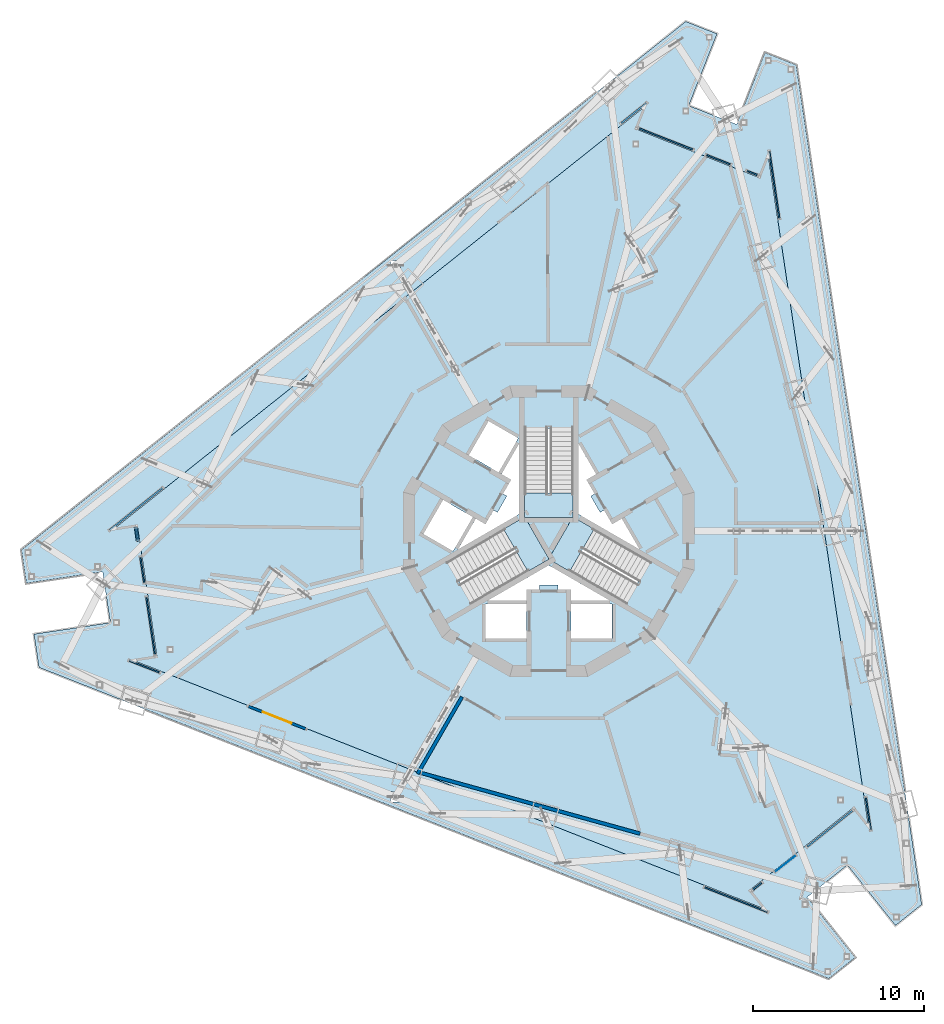
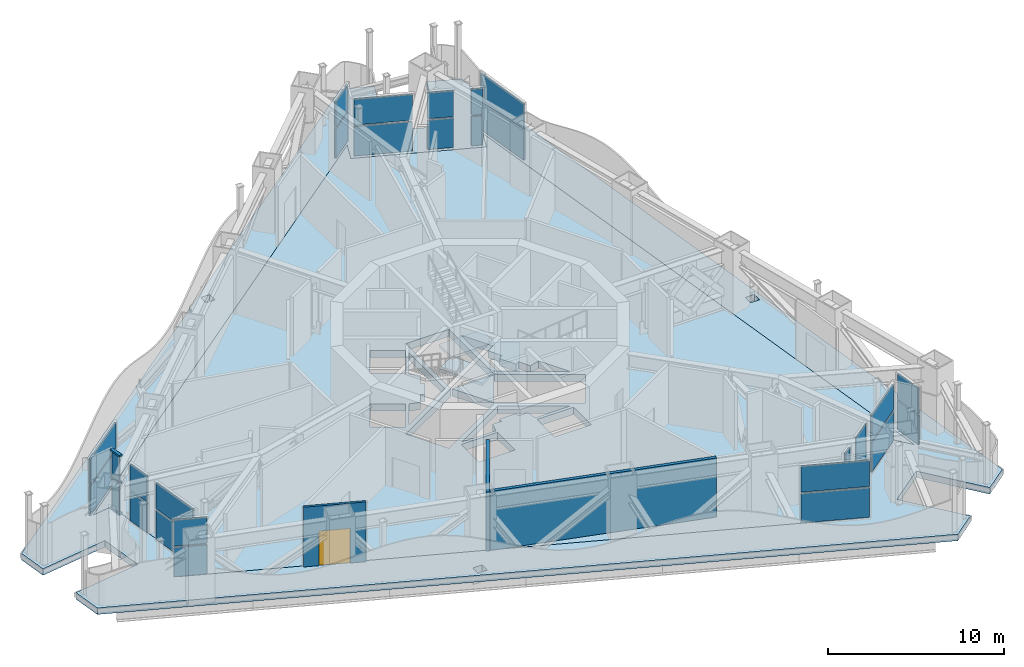
# One storey, part 9 of 27: 29 plates, 6 slabs, 3 members, 3 walls, 1 door, 1 opening, 18 elements without a shape of their own.
"""IFC4 building model written with IfcOpenShell, lengths in metres."""

from ifc_helpers import new_model, si_unit, direction, frame, frame_2d, origin, origin_2d, place, context, subcontext, project, spatial, polyline, rectangle, outline, extrude, material, layer, layer_set, material_profile, profile_set, type_object, element, fill, aggregate, save


model = new_model("IFC4")

# Units and contexts
model_context = context("Model", 3, precision=1e-05, world=origin(), true_north=direction((0.0, 1.0)))
body_context = subcontext(model_context, "Body", "Model", "MODEL_VIEW")
ifc_project = project(units=[si_unit("LENGTHUNIT", "METRE"), si_unit("AREAUNIT", "SQUARE_METRE"), si_unit("VOLUMEUNIT", "CUBIC_METRE"), si_unit("PLANEANGLEUNIT", "RADIAN"), si_unit("MASSUNIT", "GRAM", prefix="KILO")], contexts=[model_context])

# Site, building, storey
site_placement = place(None, origin())
site = spatial("IfcSite", under=ifc_project, at=site_placement, CompositionType="ELEMENT")
building_placement = place(site_placement, origin())
building = spatial("IfcBuilding", under=site, at=building_placement, Name="Trine Commons Tower", CompositionType="ELEMENT")
storey_placement = place(building_placement, frame((0.0, 0.0, 230.39990234375)))
storey = spatial("IfcBuildingStorey", under=building, at=storey_placement, Name="L60", CompositionType="ELEMENT", Elevation=230.39990234375)

# Curtain wall, members
ifc_material_1 = material(Name="Plant louvre wall: anodised aluminium frame with anodised aluminium louvre blades", Category="aluminium")
ifc_layer_1 = layer(ifc_material_1, 0.199951171875)
ifc_layer_set_1 = layer_set([ifc_layer_1], Name="Plant louvre wall: anodised aluminium frame with anodised aluminium louvre blades")
curtain_wall_type_1 = type_object("IfcCurtainWallType", Name="Plant louvre wall curtain wall CW7", PredefinedType="NOTDEFINED", material=ifc_layer_set_1)
curtain_wall_1_placement = place(storey_placement, origin())
curtain_wall_1 = element("IfcCurtainWall", 1, at=curtain_wall_1_placement, inside=storey, type_object=curtain_wall_type_1, Name="Plant louvre wall L60 P3.3", PredefinedType="NOTDEFINED")
ifc_material_2 = material(Name="Anodised aluminium, bronze finish", Category="aluminium")
ifc_material_profile = material_profile(ifc_material_2, rectangle(XDim=0.199951171875, YDim=0.1201171875, at=origin_2d()), Name="Transom 120x200")
ifc_profile_set = profile_set([ifc_material_profile], Name="Anodised aluminium, bronze finish")
member_type = type_object("IfcMemberType", Name="Transom 120x200, Anodised aluminium, bronze finish", PredefinedType="USERDEFINED", material=ifc_profile_set)
member_1_placement = place(storey_placement, frame((56.0439453125, 61.90478515625, 0.06005859375), z_axis=(-0.147748915274, 0.989024902637, 0.0), x_axis=(-0.989024902637, -0.147748915274, 0.0)))
member_1 = element("IfcMember", 2, at=member_1_placement, type_object=member_type, Name="CW7 transom T00", ObjectType="TRANSOM", PredefinedType="USERDEFINED", context=body_context, shape_type="SweptSolid", body=[
    extrude(rectangle(XDim=0.199951171875, YDim=0.1201171875, at=origin_2d()), origin(), (0.0, 0.0, 1.0), 0.84765625),
])
member_2_placement = place(storey_placement, frame((56.0439453125, 61.90478515625, 2.2001953125), z_axis=(-0.147748915274, 0.989024902637, 0.0), x_axis=(-0.989024902637, -0.147748915274, 0.0)))
member_2 = element("IfcMember", 3, at=member_2_placement, type_object=member_type, Name="CW7 transom T01", ObjectType="TRANSOM", PredefinedType="USERDEFINED", context=body_context, shape_type="SweptSolid", body=[
    extrude(rectangle(XDim=0.199951171875, YDim=0.1201171875, at=origin_2d()), origin(), (0.0, 0.0, 1.0), 0.84765625),
])
member_3_placement = place(storey_placement, frame((56.0439453125, 61.90478515625, 4.090087890625), z_axis=(-0.147748915274, 0.989024902637, 0.0), x_axis=(-0.989024902637, -0.147748915274, 0.0)))
member_3 = element("IfcMember", 4, at=member_3_placement, type_object=member_type, Name="CW7 transom TH00", ObjectType="TRANSOM", PredefinedType="USERDEFINED", context=body_context, shape_type="SweptSolid", body=[
    extrude(rectangle(XDim=0.199951171875, YDim=0.1201171875, at=origin_2d()), origin(), (0.0, 0.0, 1.0), 0.84765625),
])

# Curtain wall, plate
ifc_material_3 = material(Name="Sky lounge glazing: anodised aluminium frame with low-emissivity double glazed unit, solar control", Category="aluminium")
ifc_layer_2 = layer(ifc_material_3, 0.179931640625)
ifc_layer_set_2 = layer_set([ifc_layer_2], Name="Sky lounge glazing: anodised aluminium frame with low-emissivity double glazed unit, solar control")
curtain_wall_type_2 = type_object("IfcCurtainWallType", Name="Sky lounge glazing curtain wall CW5", PredefinedType="NOTDEFINED", material=ifc_layer_set_2)
curtain_wall_2_placement = place(storey_placement, origin())
curtain_wall_2 = element("IfcCurtainWall", 5, at=curtain_wall_2_placement, inside=storey, type_object=curtain_wall_type_2, Name="Sky lounge glazing L60 P2.2", PredefinedType="NOTDEFINED")
ifc_material_4 = material(Name="Low-emissivity double glazed unit, solar control")
ifc_layer_3 = layer(ifc_material_4, 0.031982421875)
ifc_layer_set_3 = layer_set([ifc_layer_3], Name="Low-emissivity double glazed unit, solar control")
plate_type_1 = type_object("IfcPlateType", Name="Double glazed unit 32 mm (sky floors)", PredefinedType="CURTAIN_PANEL", material=ifc_layer_set_3)
plate_1_placement = place(storey_placement, frame((93.805908203125, 43.10791015625, 0.1103515625), z_axis=(0.0, 0.0, 1.0), x_axis=(-0.782608156852, -0.622514636638, 0.0)))
plate_1 = element("IfcPlate", 6, at=plate_1_placement, type_object=plate_type_1, Name="CW5 panel 1.1", PredefinedType="CURTAIN_PANEL", context=body_context, shape_type="SweptSolid", body=[
    extrude(rectangle(XDim=1.54443359375, YDim=0.031982421875, at=origin_2d()), origin(), (0.0, 0.0, 1.0), 3.929931640625),
])
aggregate(curtain_wall_2, [plate_1])

# Curtain wall, plates
curtain_wall_3_placement = place(storey_placement, origin())
curtain_wall_3 = element("IfcCurtainWall", 7, at=curtain_wall_3_placement, inside=storey, type_object=curtain_wall_type_1, Name="Plant louvre wall L60 F1.1", PredefinedType="NOTDEFINED")
ifc_material_5 = material(Name="Anodised aluminium louvre blades", Category="aluminium")
ifc_layer_4 = layer(ifc_material_5, 0.10009765625)
ifc_layer_set_4 = layer_set([ifc_layer_4], Name="Anodised aluminium louvre blades")
plate_type_2 = type_object("IfcPlateType", Name="Fixed aluminium louvre panel 100", PredefinedType="CURTAIN_PANEL", material=ifc_layer_set_4)
plate_2_placement = place(storey_placement, frame((55.93310546875, 63.78857421875, 0.1201171875), z_axis=(0.0, 0.0, 1.0), x_axis=(0.782608156852, 0.622514636638, 0.0)))
plate_2 = element("IfcPlate", 8, at=plate_2_placement, type_object=plate_type_2, Name="CW7 panel 1.1", PredefinedType="CURTAIN_PANEL", context=body_context, shape_type="SweptSolid", body=[
    extrude(rectangle(XDim=3.927001953125, YDim=0.10009765625, at=origin_2d()), origin(), (0.0, 0.0, 1.0), 2.02001953125),
])
plate_3_placement = place(storey_placement, frame((55.93310546875, 63.78857421875, 2.260009765625), z_axis=(0.0, 0.0, 1.0), x_axis=(0.782608156852, 0.622514636638, 0.0)))
plate_3 = element("IfcPlate", 9, at=plate_3_placement, type_object=plate_type_2, Name="CW7 panel 1.2", PredefinedType="CURTAIN_PANEL", context=body_context, shape_type="SweptSolid", body=[
    extrude(rectangle(XDim=3.927001953125, YDim=0.10009765625, at=origin_2d()), origin(), (0.0, 0.0, 1.0), 1.77001953125),
])
aggregate(curtain_wall_3, [plate_2, plate_3])

curtain_wall_4_placement = place(storey_placement, origin())
curtain_wall_4 = element("IfcCurtainWall", 10, at=curtain_wall_4_placement, inside=storey, type_object=curtain_wall_type_1, Name="Plant louvre wall L60 F1.2", PredefinedType="NOTDEFINED")
plate_4_placement = place(storey_placement, frame((84.957763671875, 86.875732421875, 0.1201171875), z_axis=(0.0, 0.0, 1.0), x_axis=(0.782608156852, 0.622514636638, 0.0)))
plate_4 = element("IfcPlate", 11, at=plate_4_placement, type_object=plate_type_2, Name="CW7 panel 1.1", PredefinedType="CURTAIN_PANEL", context=body_context, shape_type="SweptSolid", body=[
    extrude(rectangle(XDim=1.88427734375, YDim=0.10009765625, at=origin_2d()), origin(), (0.0, 0.0, 1.0), 2.02001953125),
])
plate_5_placement = place(storey_placement, frame((84.957763671875, 86.875732421875, 2.260009765625), z_axis=(0.0, 0.0, 1.0), x_axis=(0.782608156852, 0.622514636638, 0.0)))
plate_5 = element("IfcPlate", 12, at=plate_5_placement, type_object=plate_type_2, Name="CW7 panel 1.2", PredefinedType="CURTAIN_PANEL", context=body_context, shape_type="SweptSolid", body=[
    extrude(rectangle(XDim=1.88427734375, YDim=0.10009765625, at=origin_2d()), origin(), (0.0, 0.0, 1.0), 1.77001953125),
])
aggregate(curtain_wall_4, [plate_4, plate_5])

curtain_wall_5_placement = place(storey_placement, origin())
curtain_wall_5 = element("IfcCurtainWall", 13, at=curtain_wall_5_placement, inside=storey, type_object=curtain_wall_type_1, Name="Plant louvre wall L60 P1.1", PredefinedType="NOTDEFINED")
plate_6_placement = place(storey_placement, frame((86.83349609375, 85.36767578125, 0.1201171875), z_axis=(0.0, 0.0, 1.0), x_axis=(0.930417567982, -0.366501226724, 0.0)))
plate_6 = element("IfcPlate", 14, at=plate_6_placement, type_object=plate_type_2, Name="CW7 panel 1.1", PredefinedType="CURTAIN_PANEL", context=body_context, shape_type="SweptSolid", body=[
    extrude(rectangle(XDim=3.353759765625, YDim=0.10009765625, at=origin_2d()), origin(), (0.0, 0.0, 1.0), 2.02001953125),
])
plate_7_placement = place(storey_placement, frame((86.83349609375, 85.36767578125, 2.260009765625), z_axis=(0.0, 0.0, 1.0), x_axis=(0.930417567982, -0.366501226724, 0.0)))
plate_7 = element("IfcPlate", 15, at=plate_7_placement, type_object=plate_type_2, Name="CW7 panel 1.2", PredefinedType="CURTAIN_PANEL", context=body_context, shape_type="SweptSolid", body=[
    extrude(rectangle(XDim=3.353759765625, YDim=0.10009765625, at=origin_2d()), origin(), (0.0, 0.0, 1.0), 1.77001953125),
])
aggregate(curtain_wall_5, [plate_6, plate_7])

curtain_wall_6_placement = place(storey_placement, origin())
curtain_wall_6 = element("IfcCurtainWall", 16, at=curtain_wall_6_placement, inside=storey, type_object=curtain_wall_type_1, Name="Plant louvre wall L60 P1.2", PredefinedType="NOTDEFINED")
plate_8_placement = place(storey_placement, frame((89.89501953125, 84.16162109375, 0.1201171875), z_axis=(0.0, 0.0, 1.0), x_axis=(0.930417567982, -0.366501226724, 0.0)))
plate_8 = element("IfcPlate", 17, at=plate_8_placement, type_object=plate_type_2, Name="CW7 panel 1.1", PredefinedType="CURTAIN_PANEL", context=body_context, shape_type="SweptSolid", body=[
    extrude(rectangle(XDim=1.494384765625, YDim=0.10009765625, at=origin_2d()), origin(), (0.0, 0.0, 1.0), 2.02001953125),
])
plate_9_placement = place(storey_placement, frame((89.89501953125, 84.16162109375, 2.260009765625), z_axis=(0.0, 0.0, 1.0), x_axis=(0.930417567982, -0.366501226724, 0.0)))
plate_9 = element("IfcPlate", 18, at=plate_9_placement, type_object=plate_type_2, Name="CW7 panel 1.2", PredefinedType="CURTAIN_PANEL", context=body_context, shape_type="SweptSolid", body=[
    extrude(rectangle(XDim=1.494384765625, YDim=0.10009765625, at=origin_2d()), origin(), (0.0, 0.0, 1.0), 1.77001953125),
])
aggregate(curtain_wall_6, [plate_8, plate_9])

curtain_wall_7_placement = place(storey_placement, origin())
curtain_wall_7 = element("IfcCurtainWall", 19, at=curtain_wall_7_placement, inside=storey, type_object=curtain_wall_type_1, Name="Plant louvre wall L60 P1.3", PredefinedType="NOTDEFINED")
plate_10_placement = place(storey_placement, frame((91.85693359375, 83.388916015625, 0.1201171875), z_axis=(0.0, 0.0, 1.0), x_axis=(0.930417567982, -0.366501226724, 0.0)))
plate_10 = element("IfcPlate", 20, at=plate_10_placement, type_object=plate_type_2, Name="CW7 panel 1.1", PredefinedType="CURTAIN_PANEL", context=body_context, shape_type="SweptSolid", body=[
    extrude(rectangle(XDim=0.647705078125, YDim=0.10009765625, at=origin_2d()), origin(), (0.0, 0.0, 1.0), 2.02001953125),
])
plate_11_placement = place(storey_placement, frame((91.85693359375, 83.388916015625, 2.260009765625), z_axis=(0.0, 0.0, 1.0), x_axis=(0.930417567982, -0.366501226724, 0.0)))
plate_11 = element("IfcPlate", 21, at=plate_11_placement, type_object=plate_type_2, Name="CW7 panel 1.2", PredefinedType="CURTAIN_PANEL", context=body_context, shape_type="SweptSolid", body=[
    extrude(rectangle(XDim=0.647705078125, YDim=0.10009765625, at=origin_2d()), origin(), (0.0, 0.0, 1.0), 1.77001953125),
])
aggregate(curtain_wall_7, [plate_10, plate_11])

curtain_wall_8_placement = place(storey_placement, origin())
curtain_wall_8 = element("IfcCurtainWall", 22, at=curtain_wall_8_placement, inside=storey, type_object=curtain_wall_type_1, Name="Plant louvre wall L60 F2.1", PredefinedType="NOTDEFINED")
plate_12_placement = place(storey_placement, frame((93.1494140625, 82.6982421875, 0.1201171875), z_axis=(0.0, 0.0, 1.0), x_axis=(0.14780941113, -0.989015863362, 0.0)))
plate_12 = element("IfcPlate", 23, at=plate_12_placement, type_object=plate_type_2, Name="CW7 panel 1.1", PredefinedType="CURTAIN_PANEL", context=body_context, shape_type="SweptSolid", body=[
    extrude(rectangle(XDim=3.927001953125, YDim=0.10009765625, at=origin_2d()), origin(), (0.0, 0.0, 1.0), 2.02001953125),
])
plate_13_placement = place(storey_placement, frame((93.1494140625, 82.6982421875, 2.260009765625), z_axis=(0.0, 0.0, 1.0), x_axis=(0.14780941113, -0.989015863362, 0.0)))
plate_13 = element("IfcPlate", 24, at=plate_13_placement, type_object=plate_type_2, Name="CW7 panel 1.2", PredefinedType="CURTAIN_PANEL", context=body_context, shape_type="SweptSolid", body=[
    extrude(rectangle(XDim=3.927001953125, YDim=0.10009765625, at=origin_2d()), origin(), (0.0, 0.0, 1.0), 1.77001953125),
])
aggregate(curtain_wall_8, [plate_12, plate_13])

curtain_wall_9_placement = place(storey_placement, origin())
curtain_wall_9 = element("IfcCurtainWall", 25, at=curtain_wall_9_placement, inside=storey, type_object=curtain_wall_type_1, Name="Plant louvre wall L60 F2.2", PredefinedType="NOTDEFINED")
plate_14_placement = place(storey_placement, frame((98.631103515625, 46.018798828125, 0.1201171875), z_axis=(0.0, 0.0, 1.0), x_axis=(0.14780941113, -0.989015863362, 0.0)))
plate_14 = element("IfcPlate", 26, at=plate_14_placement, type_object=plate_type_2, Name="CW7 panel 1.1", PredefinedType="CURTAIN_PANEL", context=body_context, shape_type="SweptSolid", body=[
    extrude(rectangle(XDim=1.884521484375, YDim=0.10009765625, at=origin_2d()), origin(), (0.0, 0.0, 1.0), 2.02001953125),
])
plate_15_placement = place(storey_placement, frame((98.631103515625, 46.018798828125, 2.260009765625), z_axis=(0.0, 0.0, 1.0), x_axis=(0.14780941113, -0.989015863362, 0.0)))
plate_15 = element("IfcPlate", 27, at=plate_15_placement, type_object=plate_type_2, Name="CW7 panel 1.2", PredefinedType="CURTAIN_PANEL", context=body_context, shape_type="SweptSolid", body=[
    extrude(rectangle(XDim=1.884521484375, YDim=0.10009765625, at=origin_2d()), origin(), (0.0, 0.0, 1.0), 1.77001953125),
])
aggregate(curtain_wall_9, [plate_14, plate_15])

curtain_wall_10_placement = place(storey_placement, origin())
curtain_wall_10 = element("IfcCurtainWall", 28, at=curtain_wall_10_placement, inside=storey, type_object=curtain_wall_type_1, Name="Plant louvre wall L60 P2.1", PredefinedType="NOTDEFINED")
plate_16_placement = place(storey_placement, frame((96.38720703125, 45.148193359375, 0.1201171875), z_axis=(0.0, 0.0, 1.0), x_axis=(-0.782608156852, -0.622514636638, 0.0)))
plate_16 = element("IfcPlate", 29, at=plate_16_placement, type_object=plate_type_2, Name="CW7 panel 1.1", PredefinedType="CURTAIN_PANEL", context=body_context, shape_type="SweptSolid", body=[
    extrude(rectangle(XDim=3.353759765625, YDim=0.10009765625, at=origin_2d()), origin(), (0.0, 0.0, 1.0), 2.02001953125),
])
plate_17_placement = place(storey_placement, frame((96.38720703125, 45.148193359375, 2.260009765625), z_axis=(0.0, 0.0, 1.0), x_axis=(-0.782608156852, -0.622514636638, 0.0)))
plate_17 = element("IfcPlate", 30, at=plate_17_placement, type_object=plate_type_2, Name="CW7 panel 1.2", PredefinedType="CURTAIN_PANEL", context=body_context, shape_type="SweptSolid", body=[
    extrude(rectangle(XDim=3.353759765625, YDim=0.10009765625, at=origin_2d()), origin(), (0.0, 0.0, 1.0), 1.77001953125),
])
aggregate(curtain_wall_10, [plate_16, plate_17])

curtain_wall_11_placement = place(storey_placement, origin())
curtain_wall_11 = element("IfcCurtainWall", 31, at=curtain_wall_11_placement, inside=storey, type_object=curtain_wall_type_1, Name="Plant louvre wall L60 P2.3", PredefinedType="NOTDEFINED")
plate_18_placement = place(storey_placement, frame((92.16162109375, 41.787109375, 0.1201171875), z_axis=(0.0, 0.0, 1.0), x_axis=(-0.782608156852, -0.622514636638, 0.0)))
plate_18 = element("IfcPlate", 32, at=plate_18_placement, type_object=plate_type_2, Name="CW7 panel 1.1", PredefinedType="CURTAIN_PANEL", context=body_context, shape_type="SweptSolid", body=[
    extrude(rectangle(XDim=0.647705078125, YDim=0.10009765625, at=origin_2d()), origin(), (0.0, 0.0, 1.0), 2.02001953125),
])
plate_19_placement = place(storey_placement, frame((92.16162109375, 41.787109375, 2.260009765625), z_axis=(0.0, 0.0, 1.0), x_axis=(-0.782608156852, -0.622514636638, 0.0)))
plate_19 = element("IfcPlate", 33, at=plate_19_placement, type_object=plate_type_2, Name="CW7 panel 1.2", PredefinedType="CURTAIN_PANEL", context=body_context, shape_type="SweptSolid", body=[
    extrude(rectangle(XDim=0.647705078125, YDim=0.10009765625, at=origin_2d()), origin(), (0.0, 0.0, 1.0), 1.77001953125),
])
aggregate(curtain_wall_11, [plate_18, plate_19])

curtain_wall_12_placement = place(storey_placement, origin())
curtain_wall_12 = element("IfcCurtainWall", 34, at=curtain_wall_12_placement, inside=storey, type_object=curtain_wall_type_1, Name="Plant louvre wall L60 F3.1", PredefinedType="NOTDEFINED")
plate_20_placement = place(storey_placement, frame((90.91748046875, 41.01318359375, 0.1201171875), z_axis=(0.0, 0.0, 1.0), x_axis=(-0.930417567982, 0.366501226724, 0.0)))
plate_20 = element("IfcPlate", 35, at=plate_20_placement, type_object=plate_type_2, Name="CW7 panel 1.1", PredefinedType="CURTAIN_PANEL", context=body_context, shape_type="SweptSolid", body=[
    extrude(rectangle(XDim=3.927001953125, YDim=0.10009765625, at=origin_2d()), origin(), (0.0, 0.0, 1.0), 2.02001953125),
])
plate_21_placement = place(storey_placement, frame((90.91748046875, 41.01318359375, 2.260009765625), z_axis=(0.0, 0.0, 1.0), x_axis=(-0.930417567982, 0.366501226724, 0.0)))
plate_21 = element("IfcPlate", 36, at=plate_21_placement, type_object=plate_type_2, Name="CW7 panel 1.2", PredefinedType="CURTAIN_PANEL", context=body_context, shape_type="SweptSolid", body=[
    extrude(rectangle(XDim=3.927001953125, YDim=0.10009765625, at=origin_2d()), origin(), (0.0, 0.0, 1.0), 1.77001953125),
])
aggregate(curtain_wall_12, [plate_20, plate_21])

curtain_wall_13_placement = place(storey_placement, origin())
curtain_wall_13 = element("IfcCurtainWall", 37, at=curtain_wall_13_placement, inside=storey, type_object=curtain_wall_type_1, Name="Plant louvre wall L60 F3.2", PredefinedType="NOTDEFINED")
plate_22_placement = place(storey_placement, frame((56.4111328125, 54.605712890625, 0.1201171875), z_axis=(0.0, 0.0, 1.0), x_axis=(-0.930417567982, 0.366501226724, 0.0)))
plate_22 = element("IfcPlate", 38, at=plate_22_placement, type_object=plate_type_2, Name="CW7 panel 1.1", PredefinedType="CURTAIN_PANEL", context=body_context, shape_type="SweptSolid", body=[
    extrude(rectangle(XDim=1.88427734375, YDim=0.10009765625, at=origin_2d()), origin(), (0.0, 0.0, 1.0), 2.02001953125),
])
plate_23_placement = place(storey_placement, frame((56.4111328125, 54.605712890625, 2.260009765625), z_axis=(0.0, 0.0, 1.0), x_axis=(-0.930417567982, 0.366501226724, 0.0)))
plate_23 = element("IfcPlate", 39, at=plate_23_placement, type_object=plate_type_2, Name="CW7 panel 1.2", PredefinedType="CURTAIN_PANEL", context=body_context, shape_type="SweptSolid", body=[
    extrude(rectangle(XDim=1.88427734375, YDim=0.10009765625, at=origin_2d()), origin(), (0.0, 0.0, 1.0), 1.77001953125),
])
aggregate(curtain_wall_13, [plate_22, plate_23])

curtain_wall_14_placement = place(storey_placement, origin())
curtain_wall_14 = element("IfcCurtainWall", 40, at=curtain_wall_14_placement, inside=storey, type_object=curtain_wall_type_1, Name="Plant louvre wall L60 P3.1", PredefinedType="NOTDEFINED")
plate_24_placement = place(storey_placement, frame((56.779296875, 56.98388671875, 0.1201171875), z_axis=(0.0, 0.0, 1.0), x_axis=(-0.14780941113, 0.989015863362, 0.0)))
plate_24 = element("IfcPlate", 41, at=plate_24_placement, type_object=plate_type_2, Name="CW7 panel 1.1", PredefinedType="CURTAIN_PANEL", context=body_context, shape_type="SweptSolid", body=[
    extrude(rectangle(XDim=3.353759765625, YDim=0.10009765625, at=origin_2d()), origin(), (0.0, 0.0, 1.0), 2.02001953125),
])
plate_25_placement = place(storey_placement, frame((56.779296875, 56.98388671875, 2.260009765625), z_axis=(0.0, 0.0, 1.0), x_axis=(-0.14780941113, 0.989015863362, 0.0)))
plate_25 = element("IfcPlate", 42, at=plate_25_placement, type_object=plate_type_2, Name="CW7 panel 1.2", PredefinedType="CURTAIN_PANEL", context=body_context, shape_type="SweptSolid", body=[
    extrude(rectangle(XDim=3.353759765625, YDim=0.10009765625, at=origin_2d()), origin(), (0.0, 0.0, 1.0), 1.77001953125),
])
aggregate(curtain_wall_14, [plate_24, plate_25])

curtain_wall_15_placement = place(storey_placement, origin())
curtain_wall_15 = element("IfcCurtainWall", 43, at=curtain_wall_15_placement, inside=storey, type_object=curtain_wall_type_1, Name="Plant louvre wall L60 P3.2", PredefinedType="NOTDEFINED")
plate_26_placement = place(storey_placement, frame((56.29296875, 60.23828125, 0.1201171875), z_axis=(0.0, 0.0, 1.0), x_axis=(-0.14780941113, 0.989015863362, 0.0)))
plate_26 = element("IfcPlate", 44, at=plate_26_placement, type_object=plate_type_2, Name="CW7 panel 1.1", PredefinedType="CURTAIN_PANEL", context=body_context, shape_type="SweptSolid", body=[
    extrude(rectangle(XDim=1.494384765625, YDim=0.10009765625, at=origin_2d()), origin(), (0.0, 0.0, 1.0), 2.02001953125),
])
plate_27_placement = place(storey_placement, frame((56.29296875, 60.23828125, 2.260009765625), z_axis=(0.0, 0.0, 1.0), x_axis=(-0.14780941113, 0.989015863362, 0.0)))
plate_27 = element("IfcPlate", 45, at=plate_27_placement, type_object=plate_type_2, Name="CW7 panel 1.2", PredefinedType="CURTAIN_PANEL", context=body_context, shape_type="SweptSolid", body=[
    extrude(rectangle(XDim=1.494384765625, YDim=0.10009765625, at=origin_2d()), origin(), (0.0, 0.0, 1.0), 1.77001953125),
])
aggregate(curtain_wall_15, [plate_26, plate_27])

# Plate
plate_28_placement = place(storey_placement, frame((55.981201171875, 62.32421875, 0.1201171875), z_axis=(0.0, 0.0, 1.0), x_axis=(-0.14780941113, 0.989015863362, 0.0)))
plate_28 = element("IfcPlate", 46, at=plate_28_placement, type_object=plate_type_2, Name="CW7 panel 1.1", PredefinedType="CURTAIN_PANEL", context=body_context, shape_type="SweptSolid", body=[
    extrude(rectangle(XDim=0.647705078125, YDim=0.10009765625, at=origin_2d()), origin(), (0.0, 0.0, 1.0), 2.02001953125),
])

plate_29_placement = place(storey_placement, frame((55.981201171875, 62.32421875, 2.260009765625), z_axis=(0.0, 0.0, 1.0), x_axis=(-0.14780941113, 0.989015863362, 0.0)))
plate_29 = element("IfcPlate", 47, at=plate_29_placement, type_object=plate_type_2, Name="CW7 panel 1.2", PredefinedType="CURTAIN_PANEL", context=body_context, shape_type="SweptSolid", body=[
    extrude(rectangle(XDim=0.647705078125, YDim=0.10009765625, at=origin_2d()), origin(), (0.0, 0.0, 1.0), 1.77001953125),
])

aggregate(curtain_wall_1, [member_1, member_2, member_3, plate_28, plate_29])

# Slab
ifc_material_6 = material(Name="Concrete C40/50", Category="concrete")
ifc_layer_5 = layer(ifc_material_6, 0.449951171875)
ifc_layer_set_5 = layer_set([ifc_layer_5], Name="Concrete C40/50")
slab_type_1 = type_object("IfcSlabType", Name="Loggia slab 450 mm, C40/50", PredefinedType="FLOOR", material=ifc_layer_set_5)
slab_1_placement = place(storey_placement, frame((0.0, 0.0, -0.449951171875)))
element("IfcSlab", 48, at=slab_1_placement, inside=storey, type_object=slab_type_1, Name="Loggia slab L60", PredefinedType="FLOOR", context=body_context, shape_type="SweptSolid", body=[
    extrude(outline(polyline([(100.2109375, 39.5009765625), (101.748046875, 40.7236328125), (94.430908203125, 89.683349609375), (92.603515625, 90.4033203125), (90.954345703125, 86.21630859375), (88.1630859375, 87.31591796875), (89.812255859375, 91.502685546875), (87.98486328125, 92.22265625), (49.242919921875, 61.406005859375), (49.533203125, 59.46337890625), (53.98388671875, 60.12841796875), (54.42724609375, 57.16162109375), (49.976806640625, 56.496337890625), (50.26708984375, 54.5537109375), (96.325927734375, 36.41064453125), (97.86328125, 37.63330078125), (95.061767578125, 41.155029296875), (97.40966796875, 43.022705078125), (100.2109375, 39.5009765625)]), holes=[polyline([(57.15576171875, 55.142578125), (55.825439453125, 54.94384765625), (92.52685546875, 40.48681640625), (91.689453125, 41.539306640625), (97.7939453125, 46.39501953125), (98.631103515625, 45.34228515625), (92.80078125, 84.355224609375), (92.3076171875, 83.103759765625), (85.050537109375, 85.96240234375), (85.54345703125, 87.2138671875), (54.672607421875, 62.658203125), (56.002685546875, 62.85693359375), (57.15576171875, 55.142578125)]), polyline([(71.3564453125, 47.3095703125), (70.756591796875, 47.3095703125), (70.756591796875, 46.70947265625), (71.3564453125, 46.70947265625), (71.3564453125, 47.3095703125)]), polyline([(98.18701171875, 62.199951171875), (98.18701171875, 62.800048828125), (97.5869140625, 62.800048828125), (97.5869140625, 62.199951171875), (98.18701171875, 62.199951171875)]), polyline([(71.3564453125, 77.6904296875), (71.3564453125, 78.29052734375), (70.756591796875, 78.29052734375), (70.756591796875, 77.6904296875), (71.3564453125, 77.6904296875)])]), origin(), (0.0, 0.0, 1.0), 0.449951171875),
])

# Stair, slab
ifc_material_7 = material(Name="Concrete C50/60", Category="concrete")
stair_type = type_object("IfcStairType", Name="Exit stair, dog-leg, 30 risers of 150 mm", PredefinedType="HALF_TURN_STAIR", material=ifc_material_7)
stair_1_placement = place(storey_placement, origin())
stair_1 = element("IfcStair", 49, at=stair_1_placement, inside=storey, type_object=stair_type, Name="L60 Exit stair ST1C", PredefinedType="HALF_TURN_STAIR")
ifc_layer_6 = layer(ifc_material_7, 0.199951171875)
ifc_layer_set_6 = layer_set([ifc_layer_6], Name="Concrete C50/60")
slab_type_2 = type_object("IfcSlabType", Name="Stair landing slab 200 mm, C50/60", PredefinedType="LANDING", material=ifc_layer_set_6)
slab_2_placement = place(storey_placement, frame((0.0, 0.0, 2.050048828125)))
slab_2 = element("IfcSlab", 50, at=slab_2_placement, type_object=slab_type_2, Name="ST1C landing 1", PredefinedType="LANDING", context=body_context, shape_type="SweptSolid", body=[
    extrude(outline(polyline([(78.574951171875, 64.730712890625), (78.574951171875, 63.300537109375), (81.425048828125, 63.300537109375), (81.425048828125, 64.730712890625), (78.574951171875, 64.730712890625)])), origin(), (0.0, 0.0, 1.0), 0.199951171875),
])
aggregate(stair_1, [slab_2])

stair_2_placement = place(storey_placement, origin())
stair_2 = element("IfcStair", 51, at=stair_2_placement, inside=storey, type_object=stair_type, Name="L60 Exit stair ST2C", PredefinedType="HALF_TURN_STAIR")
slab_3_placement = place(storey_placement, frame((0.0, 0.0, 2.050048828125)))
slab_3 = element("IfcSlab", 52, at=slab_3_placement, type_object=slab_type_2, Name="ST2C landing 1", PredefinedType="LANDING", context=body_context, shape_type="SweptSolid", body=[
    extrude(outline(polyline([(78.78076171875, 60.150634765625), (80.019287109375, 60.86572265625), (78.59423828125, 63.333740234375), (77.355712890625, 62.618896484375), (78.78076171875, 60.150634765625)])), origin(), (0.0, 0.0, 1.0), 0.199951171875),
])
aggregate(stair_2, [slab_3])

stair_3_placement = place(storey_placement, origin())
stair_3 = element("IfcStair", 53, at=stair_3_placement, inside=storey, type_object=stair_type, Name="L60 Exit stair ST3C", PredefinedType="HALF_TURN_STAIR")
slab_4_placement = place(storey_placement, frame((0.0, 0.0, 2.050048828125)))
slab_4 = element("IfcSlab", 54, at=slab_4_placement, type_object=slab_type_2, Name="ST3C landing 1", PredefinedType="LANDING", context=body_context, shape_type="SweptSolid", body=[
    extrude(outline(polyline([(82.644287109375, 62.618896484375), (81.40576171875, 63.333740234375), (79.980712890625, 60.86572265625), (81.21923828125, 60.150634765625), (82.644287109375, 62.618896484375)])), origin(), (0.0, 0.0, 1.0), 0.199951171875),
])
aggregate(stair_3, [slab_4])

# Slabs
ifc_layer_7 = layer(ifc_material_6, 0.5)
ifc_layer_set_7 = layer_set([ifc_layer_7], Name="Concrete C40/50")
slab_type_3 = type_object("IfcSlabType", Name="Transfer floor slab 500 mm, C40/50", PredefinedType="FLOOR", material=ifc_layer_set_7)
slab_5_placement = place(storey_placement, frame((0.0, 0.0, -0.5)))
element("IfcSlab", 55, at=slab_5_placement, inside=storey, type_object=slab_type_3, Name="Floor slab L60", PredefinedType="FLOOR", context=body_context, shape_type="SweptSolid", body=[
    extrude(outline(polyline([(54.672607421875, 62.658203125), (56.002685546875, 62.85693359375), (57.15576171875, 55.142578125), (55.825439453125, 54.94384765625), (92.52685546875, 40.48681640625), (91.689453125, 41.539306640625), (97.7939453125, 46.39501953125), (98.631103515625, 45.34228515625), (92.80078125, 84.355224609375), (92.3076171875, 83.103759765625), (85.050537109375, 85.96240234375), (85.54345703125, 87.2138671875), (54.672607421875, 62.658203125)]), holes=[polyline([(78.699951171875, 56.25), (78.699951171875, 58.25), (76.300048828125, 58.25), (76.300048828125, 56.25), (78.699951171875, 56.25)]), polyline([(83.699951171875, 56.25), (83.699951171875, 58.25), (81.300048828125, 58.25), (81.300048828125, 56.25), (83.699951171875, 56.25)]), polyline([(81.300048828125, 58.449951171875), (83.56494140625, 58.449951171875), (80.0, 60.508056640625), (76.43505859375, 58.449951171875), (78.699951171875, 58.449951171875), (78.85009765625, 59.10009765625), (79.449951171875, 59.10009765625), (79.449951171875, 59.360107421875), (80.550048828125, 59.360107421875), (80.550048828125, 59.10009765625), (81.14990234375, 59.10009765625), (81.300048828125, 58.449951171875)]), polyline([(81.425048828125, 63.32275390625), (81.425048828125, 68.490478515625), (78.574951171875, 68.490478515625), (78.574951171875, 63.32275390625), (74.099609375, 60.73876953125), (75.5244140625, 58.2705078125), (80.0, 60.8544921875), (84.4755859375, 58.2705078125), (85.900390625, 60.73876953125), (81.425048828125, 63.32275390625)]), polyline([(72.687255859375, 62.333984375), (74.41943359375, 61.333984375), (75.5693359375, 63.325927734375), (73.83740234375, 64.325927734375), (72.687255859375, 62.333984375)]), polyline([(76.381103515625, 63.031005859375), (75.742919921875, 63.22607421875), (74.7099609375, 61.43798828125), (78.27490234375, 63.49609375), (78.27490234375, 67.612060546875), (77.242919921875, 65.823974609375), (77.73095703125, 65.368896484375), (77.3310546875, 64.676025390625), (77.555908203125, 64.5458984375), (77.006103515625, 63.593994140625), (76.781005859375, 63.722900390625), (76.381103515625, 63.031005859375)]), polyline([(82.993896484375, 63.593994140625), (82.444091796875, 64.5458984375), (82.72705078125, 64.7099609375), (82.281005859375, 65.549072265625), (82.757080078125, 65.823974609375), (81.72509765625, 67.612060546875), (81.72509765625, 63.49609375), (85.2900390625, 61.43798828125), (84.257080078125, 63.22607421875), (83.618896484375, 63.031005859375), (83.243896484375, 63.738037109375), (82.993896484375, 63.593994140625)]), polyline([(76.4873046875, 68.916015625), (75.33740234375, 66.924072265625), (77.0693359375, 65.924072265625), (78.219482421875, 67.916015625), (76.4873046875, 68.916015625)])]), origin(), (0.0, 0.0, 1.0), 0.5),
])
slab_6_placement = place(storey_placement, frame((0.0, 0.0, -0.5)))
element("IfcSlab", 56, at=slab_6_placement, inside=storey, type_object=slab_type_3, Name="Floor slab L60 2", PredefinedType="FLOOR", context=body_context, shape_type="SweptSolid", body=[
    extrude(outline(polyline([(81.38671875, 63.300537109375), (78.61328125, 63.300537109375), (80.0, 60.89892578125), (81.38671875, 63.300537109375)])), origin(), (0.0, 0.0, 1.0), 0.5),
])

# Walls
ifc_material_8 = material(Name="Plasterboard on steel stud", Category="steel")
ifc_layer_8 = layer(ifc_material_8, 0.199951171875)
ifc_layer_set_8 = layer_set([ifc_layer_8], Name="Plasterboard on steel stud")
wall_type_1 = type_object("IfcWallType", Name="Fire wall 200 mm, EI 120", PredefinedType="PARTITIONING", material=ifc_layer_set_8)
wall_1_placement = place(storey_placement, frame((72.352783203125, 48.354736328125, 0.0), z_axis=(0.0, 0.0, 1.0), x_axis=(0.500018032254, 0.866014992607, 0.0)))
element("IfcWall", 57, at=wall_1_placement, inside=storey, type_object=wall_type_1, Name="Partition M60023", PredefinedType="PARTITIONING", context=body_context, shape_type="SweptSolid", body=[
    extrude(rectangle(XDim=5.171630859375, YDim=0.199951171875, at=frame_2d((2.5859375, 0.0))), origin(), (0.0, 0.0, 1.0), 4.10009765625),
])
wall_2_placement = place(storey_placement, frame((72.52734375, 48.40673828125, 0.0), z_axis=(0.0, 0.0, 1.0), x_axis=(0.963630014145, -0.267239959285, 0.0)))
element("IfcWall", 58, at=wall_2_placement, inside=storey, type_object=wall_type_1, Name="Partition M60024", PredefinedType="PARTITIONING", context=body_context, shape_type="SweptSolid", body=[
    extrude(rectangle(XDim=13.281494140625, YDim=0.199951171875, at=frame_2d((6.640625, 0.0))), origin(), (0.0, 0.0, 1.0), 4.10009765625),
])

# Wall, opening, door
ifc_material_9 = material(Name="Aluminium-framed insulated wall panel", Category="aluminium")
ifc_layer_9 = layer(ifc_material_9, 0.14990234375)
ifc_layer_set_9 = layer_set([ifc_layer_9], Name="Aluminium-framed insulated wall panel")
wall_type_2 = type_object("IfcWallType", Name="Glazed entrance wall 150, EI 60", PredefinedType="SOLIDWALL", material=ifc_layer_set_9)
wall_3_placement = place(storey_placement, frame((65.822265625, 50.96826171875, 0.0), z_axis=(0.0, 0.0, 1.0), x_axis=(-0.930407689317, 0.366526304184, 0.0)))
wall_3 = element("IfcWall", 59, at=wall_3_placement, inside=storey, type_object=wall_type_2, Name="Glazed entrance wall L60 F3 9", PredefinedType="SOLIDWALL", context=body_context, shape_type="SweptSolid", body=[
    extrude(rectangle(XDim=3.586181640625, YDim=0.14990234375, at=frame_2d((1.79296875, 0.0))), origin(), (0.0, 0.0, 1.0), 4.150146484375),
])
opening_placement = place(wall_3_placement, frame((0.89306640625, 0.0, 0.0)))
opening = element("IfcOpeningElement", 60, at=opening_placement, cuts=wall_3, Name="Opening SD-L60-F3-09", PredefinedType="OPENING", context=body_context, shape_type="SweptSolid", body=[
    extrude(rectangle(XDim=1.800048828125, YDim=2.39990234375, at=frame_2d((0.89990234375, 1.199951171875))), frame((0.0, 0.0849609375, 0.0), z_axis=(0.0, -1.0, 0.0), x_axis=(1.0, 0.0, 0.0)), (0.0, 0.0, 1.0), 0.169921875),
])
ifc_material_10 = material(Name="Anodised aluminium frame with double glazing", Category="aluminium")
door_type = type_object("IfcDoorType", Name="Sliding double door 1800x2400", OperationType="DOUBLE_DOOR_SLIDING", PredefinedType="DOOR", material=ifc_material_10)
door_placement = place(opening_placement, origin())
door = element("IfcDoor", 61, at=door_placement, inside=storey, type_object=door_type, Name="Loggia door L60 F3 9", OperationType="DOUBLE_DOOR_SLIDING", OverallHeight=2.39990234375, OverallWidth=1.800048828125, PredefinedType="DOOR", context=body_context, shape_type="SweptSolid", body=[
    extrude(rectangle(XDim=1.800048828125, YDim=2.39990234375, at=frame_2d((0.89990234375, 1.199951171875))), frame((0.0, 0.02490234375, 0.0), z_axis=(0.0, -1.0, 0.0), x_axis=(1.0, 0.0, 0.0)), (0.0, 0.0, 1.0), 0.050048828125),
])
fill(opening, door)

save(model, "model.ifc")
